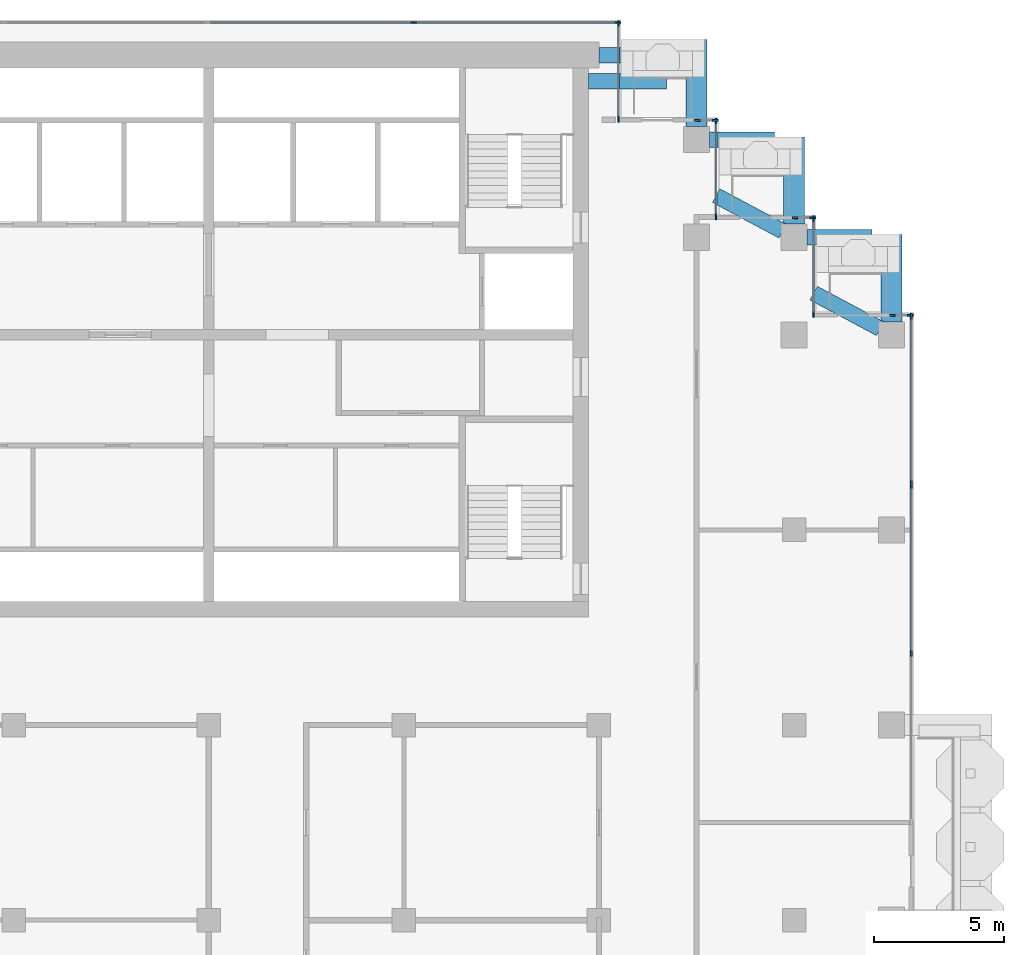
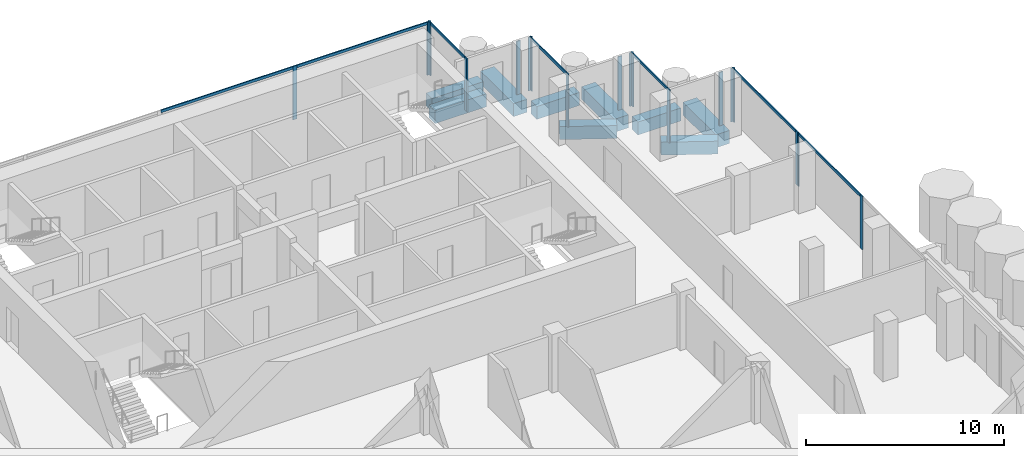
# One storey, part 6 of 18: 25 members, 9 beams, 9 elements without a shape of their own.
"""IFC4 building model written with IfcOpenShell, lengths in metres."""

from ifc_helpers import new_model, si_unit, direction, frame, origin, origin_2d, place, context, subcontext, project, spatial, rectangle, extrude, material, material_profile, profile_set, type_object, element, aggregate, save


model = new_model("IFC4")

# Units and contexts
model_context = context("Model", 3, precision=1e-05, world=origin(), true_north=direction((0.0, 1.0)))
body_context = subcontext(model_context, "Body", "Model", "MODEL_VIEW")
ifc_project = project(units=[si_unit("LENGTHUNIT", "METRE"), si_unit("AREAUNIT", "SQUARE_METRE"), si_unit("VOLUMEUNIT", "CUBIC_METRE"), si_unit("PLANEANGLEUNIT", "RADIAN"), si_unit("MASSUNIT", "GRAM", prefix="KILO")], contexts=[model_context])

# Site, building, storey
site_placement = place(None, origin())
site = spatial("IfcSite", under=ifc_project, at=site_placement, CompositionType="ELEMENT")
building_placement = place(site_placement, origin())
building = spatial("IfcBuilding", under=site, at=building_placement, Name="Pilkhan Gate Tower", CompositionType="ELEMENT")
storey_placement = place(building_placement, frame((0.0, 0.0, 221.10009765625)))
storey = spatial("IfcBuildingStorey", under=building, at=storey_placement, Name="L57", CompositionType="ELEMENT", Elevation=221.10009765625)

# Beams
ifc_material_1 = material(Name="Concrete C50/60", Category="concrete")
ifc_material_profile_1 = material_profile(ifc_material_1, rectangle(XDim=0.60009765625, YDim=0.800048828125, at=origin_2d()), Name="RC 600x800")
ifc_profile_set_1 = profile_set([ifc_material_profile_1], Name="Concrete C50/60")
beam_type_1 = type_object("IfcBeamType", Name="Cantilever beam CB1 RC 600x800 C50/60", PredefinedType="BEAM", material=ifc_profile_set_1)
for number, where, z_axis, x_axis, name in (
    (1, (90.0, 93.25, -0.7001953125), (1.0, 0.0, 0.0), (0.0, 1.0, 0.0), "Balcony beam NE.2 L57"),
    (2, (89.60009765625, 92.25, -0.7001953125), (1.0, 0.0, 0.0), (0.0, 1.0, 0.0), "Balcony beam NE.3 L57"),
):
    element("IfcBeam", number, at=place(storey_placement, frame(where, z_axis=z_axis, x_axis=x_axis)), inside=storey, type_object=beam_type_1, Name=name, PredefinedType="BEAM", context=body_context, shape_type="SweptSolid", body=[
        extrude(rectangle(XDim=0.60009765625, YDim=0.800048828125, at=origin_2d()), origin(), (0.0, 0.0, 1.0), 3.0),
    ])
beam_1_placement = place(storey_placement, frame((94.25, 90.0, -0.7001953125), z_axis=(1.0, 0.0, 0.0), x_axis=(0.0, 1.0, 0.0)))
element("IfcBeam", 3, at=beam_1_placement, inside=storey, type_object=beam_type_1, Name="Balcony beam NE1.2 L57", PredefinedType="BEAM", context=body_context, shape_type="SweptSolid", body=[
    extrude(rectangle(XDim=0.60009765625, YDim=0.800048828125, at=origin_2d()), origin(), (0.0, 0.0, 1.0), 2.5),
])
beam_2_placement = place(storey_placement, frame((97.058837890625, 86.4853515625, -0.7001953125), z_axis=(-0.882348280344, 0.470596974251, 0.0), x_axis=(-0.470596974251, -0.882348280344, 0.0)))
element("IfcBeam", 4, at=beam_2_placement, inside=storey, type_object=beam_type_1, Name="Balcony beam NE1.3 L57", PredefinedType="BEAM", context=body_context, shape_type="SweptSolid", body=[
    extrude(rectangle(XDim=0.60009765625, YDim=0.800048828125, at=origin_2d()), origin(), (0.0, 0.0, 1.0), 2.900146484375),
])
beam_3_placement = place(storey_placement, frame((98.0, 86.25, -0.7001953125), z_axis=(1.0, 0.0, 0.0), x_axis=(0.0, 1.0, 0.0)))
element("IfcBeam", 5, at=beam_3_placement, inside=storey, type_object=beam_type_1, Name="Balcony beam NE2.2 L57", PredefinedType="BEAM", context=body_context, shape_type="SweptSolid", body=[
    extrude(rectangle(XDim=0.60009765625, YDim=0.800048828125, at=origin_2d()), origin(), (0.0, 0.0, 1.0), 2.5),
])
beam_4_placement = place(storey_placement, frame((100.808837890625, 82.7353515625, -0.7001953125), z_axis=(-0.882348280344, 0.470596974251, 0.0), x_axis=(-0.470596974251, -0.882348280344, 0.0)))
element("IfcBeam", 6, at=beam_4_placement, inside=storey, type_object=beam_type_1, Name="Balcony beam NE2.3 L57", PredefinedType="BEAM", context=body_context, shape_type="SweptSolid", body=[
    extrude(rectangle(XDim=0.60009765625, YDim=0.800048828125, at=origin_2d()), origin(), (0.0, 0.0, 1.0), 2.900146484375),
])
ifc_material_profile_2 = material_profile(ifc_material_1, rectangle(XDim=0.800048828125, YDim=0.800048828125, at=origin_2d()), Name="RC 800x800")
ifc_profile_set_2 = profile_set([ifc_material_profile_2], Name="Concrete C50/60")
beam_type_2 = type_object("IfcBeamType", Name="Cantilever beam CB2 RC 800x800 C50/60", PredefinedType="BEAM", material=ifc_profile_set_2)
for number, where, z_axis, x_axis, name in (
    (7, (93.75, 90.5, -0.7001953125), (0.0, 1.0, 0.0), (-1.0, 0.0, 0.0), "Balcony beam NE.1 L57"),
    (8, (97.5, 86.75, -0.7001953125), (0.0, 1.0, 0.0), (-1.0, 0.0, 0.0), "Balcony beam NE1.1 L57"),
    (9, (101.25, 83.0, -0.7001953125), (0.0, 1.0, 0.0), (-1.0, 0.0, 0.0), "Balcony beam NE2.1 L57"),
):
    element("IfcBeam", number, at=place(storey_placement, frame(where, z_axis=z_axis, x_axis=x_axis)), inside=storey, type_object=beam_type_2, Name=name, PredefinedType="BEAM", context=body_context, shape_type="SweptSolid", body=[
        extrude(rectangle(XDim=0.800048828125, YDim=0.800048828125, at=origin_2d()), origin(), (0.0, 0.0, 1.0), 3.35009765625),
    ])

# Curtain wall, members
ifc_material_2 = material(Name="Pale anodised aluminium, clear low-iron double glazing", Category="aluminium")
curtain_wall_type = type_object("IfcCurtainWallType", Name="Office unitised curtain wall CW-O2", PredefinedType="USERDEFINED", material=ifc_material_2)
curtain_wall_1_placement = place(storey_placement, origin())
curtain_wall_1 = element("IfcCurtainWall", 10, at=curtain_wall_1_placement, inside=storey, type_object=curtain_wall_type, Name="Office unitised curtain wall CW-O2 L57 E", ObjectType="UNITISED CURTAIN WALL", PredefinedType="USERDEFINED")
ifc_material_3 = material(Name="Pale anodised aluminium", Category="aluminium")
ifc_material_profile_3 = material_profile(ifc_material_3, rectangle(XDim=0.06494140625, YDim=0.22509765625, at=origin_2d()), Name="Mullion 225x65")
ifc_profile_set_3 = profile_set([ifc_material_profile_3], Name="Pale anodised aluminium")
member_type_1 = type_object("IfcMemberType", Name="Mullion CW-O2 225x65", PredefinedType="MULLION", material=ifc_profile_set_3)
member_1_placement = place(storey_placement, frame((102.0, 70.25, 0.0), z_axis=(0.0, 0.0, 1.0), x_axis=(-1.0, 0.0, 0.0)))
member_1 = element("IfcMember", 11, at=member_1_placement, type_object=member_type_1, Name="CW-O2 mullion 2", PredefinedType="MULLION", context=body_context, shape_type="SweptSolid", body=[
    extrude(rectangle(XDim=0.06494140625, YDim=0.22509765625, at=origin_2d()), origin(), (0.0, 0.0, 1.0), 3.2998046875),
])
member_2_placement = place(storey_placement, frame((102.0, 76.717529296875, 0.0), z_axis=(0.0, 0.0, 1.0), x_axis=(-1.0, 0.0, 0.0)))
member_2 = element("IfcMember", 12, at=member_2_placement, type_object=member_type_1, Name="CW-O2 mullion 3", PredefinedType="MULLION", context=body_context, shape_type="SweptSolid", body=[
    extrude(rectangle(XDim=0.06494140625, YDim=0.22509765625, at=origin_2d()), origin(), (0.0, 0.0, 1.0), 3.2998046875),
])

curtain_wall_2_placement = place(storey_placement, origin())
curtain_wall_2 = element("IfcCurtainWall", 13, at=curtain_wall_2_placement, inside=storey, type_object=curtain_wall_type, Name="Office unitised curtain wall CW-O2 L57 E", ObjectType="UNITISED CURTAIN WALL", PredefinedType="USERDEFINED")
member_3_placement = place(storey_placement, frame((102.0, 76.782470703125, 0.0), z_axis=(0.0, 0.0, 1.0), x_axis=(-1.0, 0.0, 0.0)))
member_3 = element("IfcMember", 14, at=member_3_placement, type_object=member_type_1, Name="CW-O2 mullion 1", PredefinedType="MULLION", context=body_context, shape_type="SweptSolid", body=[
    extrude(rectangle(XDim=0.06494140625, YDim=0.22509765625, at=origin_2d()), origin(), (0.0, 0.0, 1.0), 3.2998046875),
])
member_4_placement = place(storey_placement, frame((102.0, 83.217529296875, 0.0), z_axis=(0.0, 0.0, 1.0), x_axis=(-1.0, 0.0, 0.0)))
member_4 = element("IfcMember", 15, at=member_4_placement, type_object=member_type_1, Name="CW-O2 mullion 2", PredefinedType="MULLION", context=body_context, shape_type="SweptSolid", body=[
    extrude(rectangle(XDim=0.06494140625, YDim=0.22509765625, at=origin_2d()), origin(), (0.0, 0.0, 1.0), 3.2998046875),
])

curtain_wall_3_placement = place(storey_placement, origin())
curtain_wall_3 = element("IfcCurtainWall", 16, at=curtain_wall_3_placement, inside=storey, type_object=curtain_wall_type, Name="Office unitised curtain wall CW-O2 L57 N", ObjectType="UNITISED CURTAIN WALL", PredefinedType="USERDEFINED")
member_5_placement = place(storey_placement, frame((101.282470703125, 83.25, 0.0), z_axis=(0.0, 0.0, 1.0), x_axis=(0.0, 1.0, 0.0)))
member_5 = element("IfcMember", 17, at=member_5_placement, type_object=member_type_1, Name="CW-O2 mullion 1", PredefinedType="MULLION", context=body_context, shape_type="SweptSolid", body=[
    extrude(rectangle(XDim=0.06494140625, YDim=0.22509765625, at=origin_2d()), origin(), (0.0, 0.0, 1.0), 3.2998046875),
])
member_6_placement = place(storey_placement, frame((101.967529296875, 83.25, 0.0), z_axis=(0.0, 0.0, 1.0), x_axis=(0.0, 1.0, 0.0)))
member_6 = element("IfcMember", 18, at=member_6_placement, type_object=member_type_1, Name="CW-O2 mullion 2", PredefinedType="MULLION", context=body_context, shape_type="SweptSolid", body=[
    extrude(rectangle(XDim=0.06494140625, YDim=0.22509765625, at=origin_2d()), origin(), (0.0, 0.0, 1.0), 3.2998046875),
])
aggregate(curtain_wall_3, [member_5, member_6])

curtain_wall_4_placement = place(storey_placement, origin())
curtain_wall_4 = element("IfcCurtainWall", 19, at=curtain_wall_4_placement, inside=storey, type_object=curtain_wall_type, Name="Office unitised curtain wall CW-O2 L57 E", ObjectType="UNITISED CURTAIN WALL", PredefinedType="USERDEFINED")
member_7_placement = place(storey_placement, frame((98.25, 83.282470703125, 0.0), z_axis=(0.0, 0.0, 1.0), x_axis=(-1.0, 0.0, 0.0)))
member_7 = element("IfcMember", 20, at=member_7_placement, type_object=member_type_1, Name="CW-O2 mullion 1", PredefinedType="MULLION", context=body_context, shape_type="SweptSolid", body=[
    extrude(rectangle(XDim=0.06494140625, YDim=0.22509765625, at=origin_2d()), origin(), (0.0, 0.0, 1.0), 3.2998046875),
])
member_8_placement = place(storey_placement, frame((98.25, 86.967529296875, 0.0), z_axis=(0.0, 0.0, 1.0), x_axis=(-1.0, 0.0, 0.0)))
member_8 = element("IfcMember", 21, at=member_8_placement, type_object=member_type_1, Name="CW-O2 mullion 2", PredefinedType="MULLION", context=body_context, shape_type="SweptSolid", body=[
    extrude(rectangle(XDim=0.06494140625, YDim=0.22509765625, at=origin_2d()), origin(), (0.0, 0.0, 1.0), 3.2998046875),
])

curtain_wall_5_placement = place(storey_placement, origin())
curtain_wall_5 = element("IfcCurtainWall", 22, at=curtain_wall_5_placement, inside=storey, type_object=curtain_wall_type, Name="Office unitised curtain wall CW-O2 L57 N", ObjectType="UNITISED CURTAIN WALL", PredefinedType="USERDEFINED")
member_9_placement = place(storey_placement, frame((97.532470703125, 87.0, 0.0), z_axis=(0.0, 0.0, 1.0), x_axis=(0.0, 1.0, 0.0)))
member_9 = element("IfcMember", 23, at=member_9_placement, type_object=member_type_1, Name="CW-O2 mullion 1", PredefinedType="MULLION", context=body_context, shape_type="SweptSolid", body=[
    extrude(rectangle(XDim=0.06494140625, YDim=0.22509765625, at=origin_2d()), origin(), (0.0, 0.0, 1.0), 3.2998046875),
])
member_10_placement = place(storey_placement, frame((98.217529296875, 87.0, 0.0), z_axis=(0.0, 0.0, 1.0), x_axis=(0.0, 1.0, 0.0)))
member_10 = element("IfcMember", 24, at=member_10_placement, type_object=member_type_1, Name="CW-O2 mullion 2", PredefinedType="MULLION", context=body_context, shape_type="SweptSolid", body=[
    extrude(rectangle(XDim=0.06494140625, YDim=0.22509765625, at=origin_2d()), origin(), (0.0, 0.0, 1.0), 3.2998046875),
])
aggregate(curtain_wall_5, [member_9, member_10])

curtain_wall_6_placement = place(storey_placement, origin())
curtain_wall_6 = element("IfcCurtainWall", 25, at=curtain_wall_6_placement, inside=storey, type_object=curtain_wall_type, Name="Office unitised curtain wall CW-O2 L57 E", ObjectType="UNITISED CURTAIN WALL", PredefinedType="USERDEFINED")
member_11_placement = place(storey_placement, frame((94.5, 87.032470703125, 0.0), z_axis=(0.0, 0.0, 1.0), x_axis=(-1.0, 0.0, 0.0)))
member_11 = element("IfcMember", 26, at=member_11_placement, type_object=member_type_1, Name="CW-O2 mullion 1", PredefinedType="MULLION", context=body_context, shape_type="SweptSolid", body=[
    extrude(rectangle(XDim=0.06494140625, YDim=0.22509765625, at=origin_2d()), origin(), (0.0, 0.0, 1.0), 3.2998046875),
])
member_12_placement = place(storey_placement, frame((94.5, 90.717529296875, 0.0), z_axis=(0.0, 0.0, 1.0), x_axis=(-1.0, 0.0, 0.0)))
member_12 = element("IfcMember", 27, at=member_12_placement, type_object=member_type_1, Name="CW-O2 mullion 2", PredefinedType="MULLION", context=body_context, shape_type="SweptSolid", body=[
    extrude(rectangle(XDim=0.06494140625, YDim=0.22509765625, at=origin_2d()), origin(), (0.0, 0.0, 1.0), 3.2998046875),
])

curtain_wall_7_placement = place(storey_placement, origin())
curtain_wall_7 = element("IfcCurtainWall", 28, at=curtain_wall_7_placement, inside=storey, type_object=curtain_wall_type, Name="Office unitised curtain wall CW-O2 L57 N", ObjectType="UNITISED CURTAIN WALL", PredefinedType="USERDEFINED")
member_13_placement = place(storey_placement, frame((93.782470703125, 90.75, 0.0), z_axis=(0.0, 0.0, 1.0), x_axis=(0.0, 1.0, 0.0)))
member_13 = element("IfcMember", 29, at=member_13_placement, type_object=member_type_1, Name="CW-O2 mullion 1", PredefinedType="MULLION", context=body_context, shape_type="SweptSolid", body=[
    extrude(rectangle(XDim=0.06494140625, YDim=0.22509765625, at=origin_2d()), origin(), (0.0, 0.0, 1.0), 3.2998046875),
])
member_14_placement = place(storey_placement, frame((94.467529296875, 90.75, 0.0), z_axis=(0.0, 0.0, 1.0), x_axis=(0.0, 1.0, 0.0)))
member_14 = element("IfcMember", 30, at=member_14_placement, type_object=member_type_1, Name="CW-O2 mullion 2", PredefinedType="MULLION", context=body_context, shape_type="SweptSolid", body=[
    extrude(rectangle(XDim=0.06494140625, YDim=0.22509765625, at=origin_2d()), origin(), (0.0, 0.0, 1.0), 3.2998046875),
])
aggregate(curtain_wall_7, [member_13, member_14])

curtain_wall_8_placement = place(storey_placement, origin())
curtain_wall_8 = element("IfcCurtainWall", 31, at=curtain_wall_8_placement, inside=storey, type_object=curtain_wall_type, Name="Office unitised curtain wall CW-O2 L57 E", ObjectType="UNITISED CURTAIN WALL", PredefinedType="USERDEFINED")
member_15_placement = place(storey_placement, frame((90.75, 90.782470703125, 0.0), z_axis=(0.0, 0.0, 1.0), x_axis=(-1.0, 0.0, 0.0)))
member_15 = element("IfcMember", 32, at=member_15_placement, type_object=member_type_1, Name="CW-O2 mullion 1", PredefinedType="MULLION", context=body_context, shape_type="SweptSolid", body=[
    extrude(rectangle(XDim=0.06494140625, YDim=0.22509765625, at=origin_2d()), origin(), (0.0, 0.0, 1.0), 3.2998046875),
])
member_16_placement = place(storey_placement, frame((90.75, 94.467529296875, 0.0), z_axis=(0.0, 0.0, 1.0), x_axis=(-1.0, 0.0, 0.0)))
member_16 = element("IfcMember", 33, at=member_16_placement, type_object=member_type_1, Name="CW-O2 mullion 2", PredefinedType="MULLION", context=body_context, shape_type="SweptSolid", body=[
    extrude(rectangle(XDim=0.06494140625, YDim=0.22509765625, at=origin_2d()), origin(), (0.0, 0.0, 1.0), 3.2998046875),
])

curtain_wall_9_placement = place(storey_placement, origin())
curtain_wall_9 = element("IfcCurtainWall", 34, at=curtain_wall_9_placement, inside=storey, type_object=curtain_wall_type, Name="Office unitised curtain wall CW-O2 L57 N", ObjectType="UNITISED CURTAIN WALL", PredefinedType="USERDEFINED")
member_17_placement = place(storey_placement, frame((82.875, 94.5, 0.0), z_axis=(0.0, 0.0, 1.0), x_axis=(0.0, 1.0, 0.0)))
member_17 = element("IfcMember", 35, at=member_17_placement, type_object=member_type_1, Name="CW-O2 mullion 2", PredefinedType="MULLION", context=body_context, shape_type="SweptSolid", body=[
    extrude(rectangle(XDim=0.06494140625, YDim=0.22509765625, at=origin_2d()), origin(), (0.0, 0.0, 1.0), 3.2998046875),
])
member_18_placement = place(storey_placement, frame((90.717529296875, 94.5, 0.0), z_axis=(0.0, 0.0, 1.0), x_axis=(0.0, 1.0, 0.0)))
member_18 = element("IfcMember", 36, at=member_18_placement, type_object=member_type_1, Name="CW-O2 mullion 3", PredefinedType="MULLION", context=body_context, shape_type="SweptSolid", body=[
    extrude(rectangle(XDim=0.06494140625, YDim=0.22509765625, at=origin_2d()), origin(), (0.0, 0.0, 1.0), 3.2998046875),
])

# Member
ifc_material_profile_4 = material_profile(ifc_material_3, rectangle(XDim=0.06494140625, YDim=0.1650390625, at=origin_2d()), Name="Transom 165x65")
ifc_profile_set_4 = profile_set([ifc_material_profile_4], Name="Pale anodised aluminium")
member_type_2 = type_object("IfcMemberType", Name="Transom CW-O2 165x65", PredefinedType="USERDEFINED", material=ifc_profile_set_4)
member_19_placement = place(storey_placement, frame((102.0, 70.282470703125, 3.21728515625), z_axis=(0.0, 1.0, 0.0), x_axis=(-1.0, 0.0, 0.0)))
member_19 = element("IfcMember", 37, at=member_19_placement, type_object=member_type_2, Name="CW-O2 transom 2", ObjectType="TRANSOM", PredefinedType="USERDEFINED", context=body_context, shape_type="SweptSolid", body=[
    extrude(rectangle(XDim=0.06494140625, YDim=0.1650390625, at=origin_2d()), origin(), (0.0, 0.0, 1.0), 6.402587890625),
])

aggregate(curtain_wall_1, [member_1, member_2, member_19])

member_20_placement = place(storey_placement, frame((102.0, 76.81494140625, 3.21728515625), z_axis=(0.0, 1.0, 0.0), x_axis=(-1.0, 0.0, 0.0)))
member_20 = element("IfcMember", 38, at=member_20_placement, type_object=member_type_2, Name="CW-O2 transom 1", ObjectType="TRANSOM", PredefinedType="USERDEFINED", context=body_context, shape_type="SweptSolid", body=[
    extrude(rectangle(XDim=0.06494140625, YDim=0.1650390625, at=origin_2d()), origin(), (0.0, 0.0, 1.0), 6.3701171875),
])

aggregate(curtain_wall_2, [member_3, member_4, member_20])

member_21_placement = place(storey_placement, frame((98.25, 83.31494140625, 3.21728515625), z_axis=(0.0, 1.0, 0.0), x_axis=(-1.0, 0.0, 0.0)))
member_21 = element("IfcMember", 39, at=member_21_placement, type_object=member_type_2, Name="CW-O2 transom 1", ObjectType="TRANSOM", PredefinedType="USERDEFINED", context=body_context, shape_type="SweptSolid", body=[
    extrude(rectangle(XDim=0.06494140625, YDim=0.1650390625, at=origin_2d()), origin(), (0.0, 0.0, 1.0), 3.6201171875),
])

aggregate(curtain_wall_4, [member_7, member_8, member_21])

member_22_placement = place(storey_placement, frame((94.5, 87.06494140625, 3.21728515625), z_axis=(0.0, 1.0, 0.0), x_axis=(-1.0, 0.0, 0.0)))
member_22 = element("IfcMember", 40, at=member_22_placement, type_object=member_type_2, Name="CW-O2 transom 1", ObjectType="TRANSOM", PredefinedType="USERDEFINED", context=body_context, shape_type="SweptSolid", body=[
    extrude(rectangle(XDim=0.06494140625, YDim=0.1650390625, at=origin_2d()), origin(), (0.0, 0.0, 1.0), 3.6201171875),
])

aggregate(curtain_wall_6, [member_11, member_12, member_22])

member_23_placement = place(storey_placement, frame((90.75, 90.81494140625, 3.21728515625), z_axis=(0.0, 1.0, 0.0), x_axis=(-1.0, 0.0, 0.0)))
member_23 = element("IfcMember", 41, at=member_23_placement, type_object=member_type_2, Name="CW-O2 transom 1", ObjectType="TRANSOM", PredefinedType="USERDEFINED", context=body_context, shape_type="SweptSolid", body=[
    extrude(rectangle(XDim=0.06494140625, YDim=0.1650390625, at=origin_2d()), origin(), (0.0, 0.0, 1.0), 3.6201171875),
])

aggregate(curtain_wall_8, [member_15, member_16, member_23])

member_24_placement = place(storey_placement, frame((75.06494140625, 94.5, 3.21728515625), z_axis=(1.0, 0.0, 0.0), x_axis=(0.0, 1.0, 0.0)))
member_24 = element("IfcMember", 42, at=member_24_placement, type_object=member_type_2, Name="CW-O2 transom 1", ObjectType="TRANSOM", PredefinedType="USERDEFINED", context=body_context, shape_type="SweptSolid", body=[
    extrude(rectangle(XDim=0.06494140625, YDim=0.1650390625, at=origin_2d()), origin(), (0.0, 0.0, 1.0), 7.777587890625),
])

member_25_placement = place(storey_placement, frame((82.907470703125, 94.5, 3.21728515625), z_axis=(1.0, 0.0, 0.0), x_axis=(0.0, 1.0, 0.0)))
member_25 = element("IfcMember", 43, at=member_25_placement, type_object=member_type_2, Name="CW-O2 transom 2", ObjectType="TRANSOM", PredefinedType="USERDEFINED", context=body_context, shape_type="SweptSolid", body=[
    extrude(rectangle(XDim=0.06494140625, YDim=0.1650390625, at=origin_2d()), origin(), (0.0, 0.0, 1.0), 7.777587890625),
])

aggregate(curtain_wall_9, [member_17, member_18, member_24, member_25])

save(model, "model.ifc")
